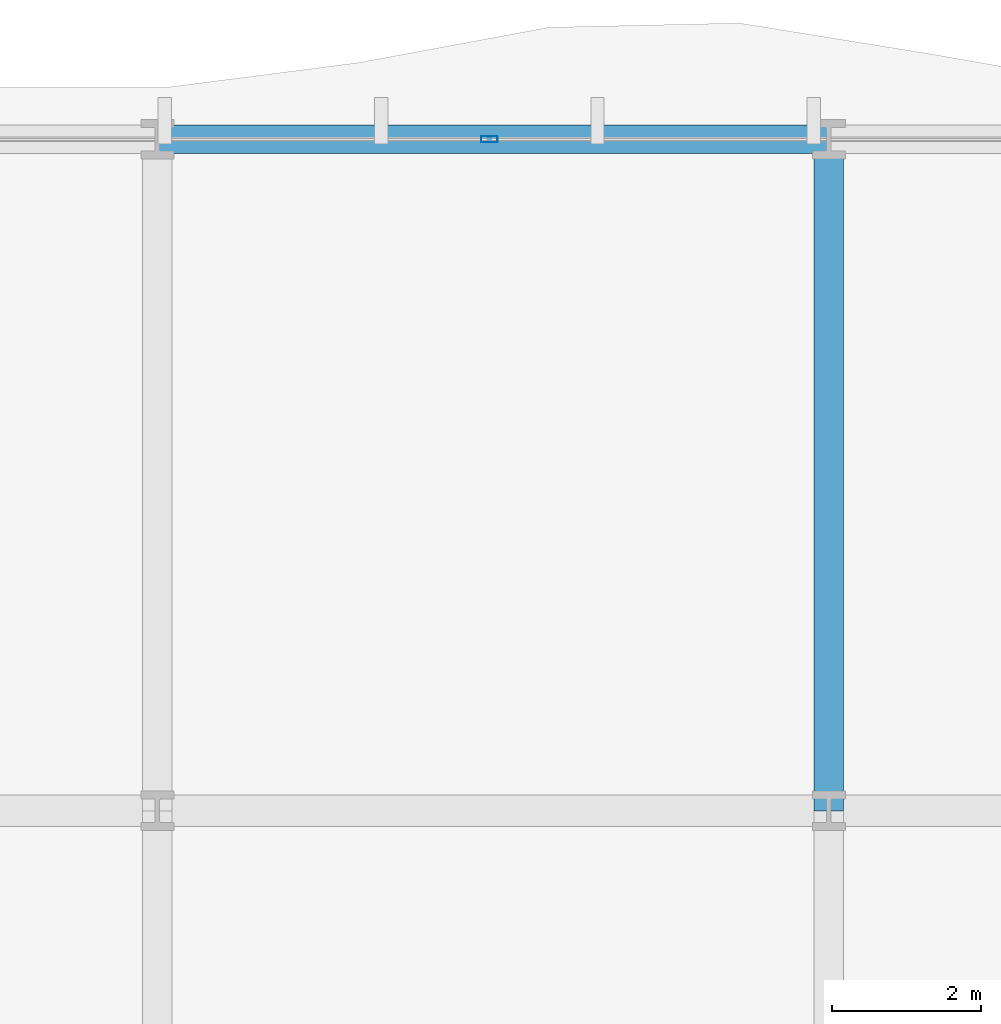
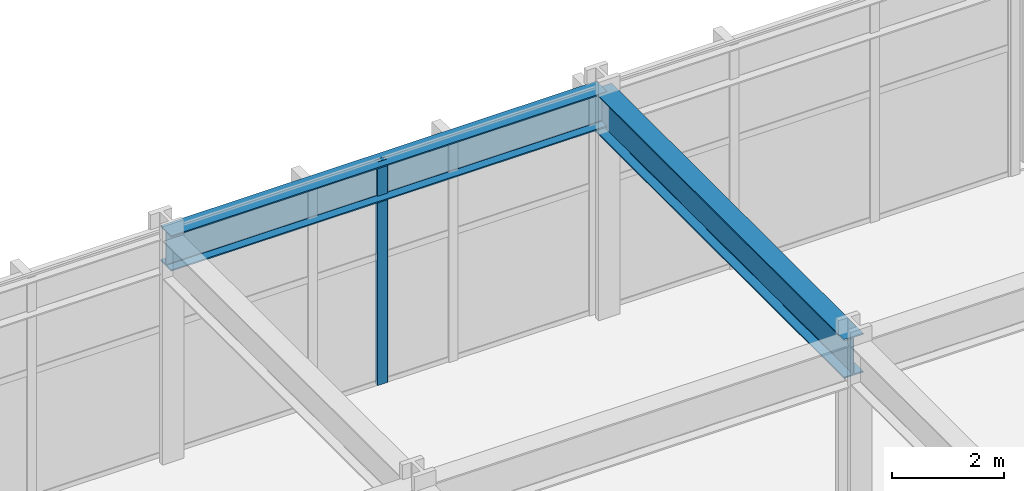
# One storey, part 15 of 33: 2 beams, 1 member, 1 element without a shape of its own.
"""IFC4 building model written with IfcOpenShell, lengths in metres."""

import ifcopenshell
import ifcopenshell.guid

model = None  # the IFC model being written
_history = None  # IfcOwnerHistory: only IFC2X3 demands one
_inside = {}  # id of a spatial element -> (the spatial element, [elements in it])
_under = {}  # id of a project, library or spatial element -> (it, [spatial elements below it])
_declared = {}  # id of a project -> (the project, [libraries it declares])
_typed = {}  # id of a type object -> (the type object, [elements of that type])
_made_of = {}  # id of a material, layer set ... -> (it, [elements and type objects made of it])


def new_model(schema):
    """Start an empty IFC model of exactly this schema.

    Asked for "IFC4X3", IfcOpenShell would pick the latest addendum, in which some entities
    have other attributes; the version numbers below select the first issue.
    IFC2X3 requires an IfcOwnerHistory on every rooted entity: one is made here for all.
    """
    global model, _history
    if schema == "IFC4X3":
        model = ifcopenshell.file(schema_version=(4, 3, 0, 0))
    else:
        model = ifcopenshell.file(schema=schema)
    _inside.clear()
    _under.clear()
    _declared.clear()
    _typed.clear()
    _made_of.clear()
    _history = None
    if model.schema == "IFC2X3":
        org = make("IfcOrganization", Name="unknown")
        user = make(
            "IfcPersonAndOrganization",
            ThePerson=make("IfcPerson", FamilyName="unknown"),
            TheOrganization=org,
        )
        app = make(
            "IfcApplication",
            ApplicationDeveloper=org,
            Version="unknown",
            ApplicationFullName="unknown",
            ApplicationIdentifier="unknown",
        )
        _history = make(
            "IfcOwnerHistory",
            OwningUser=user,
            OwningApplication=app,
            ChangeAction="ADDED",
            CreationDate=0,
        )
    return model


def make(cls, **values):
    """One entity of the class cls with the attributes given. An attribute that is None is left unset."""
    return model.create_entity(
        cls, **{name: value for name, value in values.items() if value is not None}
    )


def rooted(cls, **values):
    """An entity with a GlobalId (a new one), such as an element, a storey or a relation."""
    return make(cls, GlobalId=ifcopenshell.guid.new(), OwnerHistory=_history, **values)


def si_unit(unit_type, name, prefix=None):
    """IfcSIUnit, for example si_unit("LENGTHUNIT", "METRE", prefix="MILLI")."""
    return make("IfcSIUnit", UnitType=unit_type, Prefix=prefix, Name=name)


def assignment(units):
    """IfcUnitAssignment: the units of a project."""
    return None if units is None else make("IfcUnitAssignment", Units=units)


def point(xyz):
    """IfcCartesianPoint."""
    return None if xyz is None else make("IfcCartesianPoint", Coordinates=xyz)


def direction(xyz):
    """IfcDirection."""
    return None if xyz is None else make("IfcDirection", DirectionRatios=xyz)


def frame(location, z_axis=None, x_axis=None):
    """IfcAxis2Placement3D, a coordinate frame: its origin and axes. An axis left out is left unset."""
    return make(
        "IfcAxis2Placement3D",
        Location=point(location),
        Axis=direction(z_axis),
        RefDirection=direction(x_axis),
    )


def frame_2d(location, x_axis=None):
    """IfcAxis2Placement2D, a coordinate frame in the plane: its origin and x axis."""
    return make(
        "IfcAxis2Placement2D", Location=point(location), RefDirection=direction(x_axis)
    )


def origin():
    """The frame at (0, 0, 0) with its axes left unset."""
    return frame((0.0, 0.0, 0.0))


def origin_2d():
    """The frame at (0, 0) in the plane with its x axis left unset."""
    return frame_2d((0.0, 0.0))


def place(relative_to, where):
    """IfcLocalPlacement: puts the frame where relative to a parent placement (None: the world)."""
    return make(
        "IfcLocalPlacement", PlacementRelTo=relative_to, RelativePlacement=where
    )


def context(
    kind, dimensions, precision=None, world=None, true_north=None, identifier=None
):
    """IfcGeometricRepresentationContext, for example the 3D "Model" context."""
    return make(
        "IfcGeometricRepresentationContext",
        ContextIdentifier=identifier,
        ContextType=kind,
        CoordinateSpaceDimension=dimensions,
        Precision=precision,
        WorldCoordinateSystem=world,
        TrueNorth=true_north,
    )


def subcontext(parent, identifier, kind, view, scale=None):
    """IfcGeometricRepresentationSubContext, for example "Body" below "Model"."""
    return make(
        "IfcGeometricRepresentationSubContext",
        ContextIdentifier=identifier,
        ContextType=kind,
        ParentContext=parent,
        TargetScale=scale,
        TargetView=view,
    )


def project(units=None, contexts=None):
    """IfcProject with its units and contexts."""
    return rooted(
        "IfcProject",
        Name="project",
        RepresentationContexts=contexts,
        UnitsInContext=assignment(units),
    )


def spatial(cls, under=None, at=None, **own):
    """A site, building, storey or space (cls), placed at a placement, below another one or the project."""
    s = rooted(cls, ObjectPlacement=at, **own)
    if under is not None:
        _under.setdefault(under.id(), (under, []))[1].append(s)
    return s


def profile(cls, at=None, kind="AREA", **sizes):
    """A parametric profile (cls). Its sizes go by their IFC names, for example OverallWidth=200.0."""
    return make(cls, ProfileType=kind, Position=at, **sizes)


def hollow_rectangle(**sizes):
    """IfcRectangleHollowProfileDef."""
    return profile("IfcRectangleHollowProfileDef", **sizes)


def i_section(**sizes):
    """IfcIShapeProfileDef."""
    return profile("IfcIShapeProfileDef", **sizes)


def extrude(swept, where, along, depth):
    """IfcExtrudedAreaSolid: the profile swept, set in the frame where, extruded along a direction by depth."""
    return make(
        "IfcExtrudedAreaSolid",
        SweptArea=swept,
        Position=where,
        ExtrudedDirection=direction(along),
        Depth=depth,
    )


def shape(context_of_items, identifier, shape_type, items):
    """IfcShapeRepresentation: the items that make up one representation, for example the "Body"."""
    return make(
        "IfcShapeRepresentation",
        ContextOfItems=context_of_items,
        RepresentationIdentifier=identifier,
        RepresentationType=shape_type,
        Items=items,
    )


def material(Name=None, Category=None):
    """IfcMaterial."""
    return make("IfcMaterial", Name=Name, Category=Category)


def layer(
    of_material, thickness, ventilated=None, Name=None, Category=None, Priority=None
):
    """IfcMaterialLayer: one layer of a wall or slab, of a material (None: an air gap)."""
    return make(
        "IfcMaterialLayer",
        Material=of_material,
        LayerThickness=thickness,
        IsVentilated=ventilated,
        Name=Name,
        Category=Category,
        Priority=Priority,
    )


def layer_set(layers, Name=None):
    """IfcMaterialLayerSet."""
    return make("IfcMaterialLayerSet", MaterialLayers=layers, LayerSetName=Name)


def material_profile(
    of_material, cross_section, Name=None, Category=None, Priority=None
):
    """IfcMaterialProfile: a cross section and its material."""
    return make(
        "IfcMaterialProfile",
        Name=Name,
        Material=of_material,
        Profile=cross_section,
        Priority=Priority,
        Category=Category,
    )


def profile_set(profiles, Name=None, composite=None):
    """IfcMaterialProfileSet."""
    return make(
        "IfcMaterialProfileSet",
        Name=Name,
        MaterialProfiles=profiles,
        CompositeProfile=composite,
    )


def made_of(thing, what):
    """Note that an element or type object is made of a material, layer set ...; save() writes the relation."""
    if what is not None:
        _made_of.setdefault(what.id(), (what, []))[1].append(thing)
    return thing


def type_object(cls, material=None, **own):
    """A type object (cls), such as IfcWallType, which elements share."""
    return made_of(rooted(cls, **own), material)


def element(
    cls,
    number,
    at=None,
    inside=None,
    cuts=None,
    type_object=None,
    material=None,
    context=None,
    identifier="Body",
    shape_type=None,
    held_by="IfcProductDefinitionShape",
    body=None,
    shapes=None,
    **own,
):
    """One element of the class cls, such as IfcWall. Its Tag is "e" and its number.

    at: its placement. inside: the storey or other place that contains it. cuts: it is an
    opening in that element (IfcRelVoidsElement). A single representation is given by context,
    identifier, shape_type and body (its items); several are given by shapes. held_by: the class
    of the entity that holds the representations. save() writes the other relations.
    """
    e = rooted(cls, Tag="e%d" % number, ObjectPlacement=at, **own)
    if body is not None:
        shapes = [shape(context, identifier, shape_type, body)]
    if shapes is not None:
        e.Representation = make(held_by, Representations=shapes)
    if inside is not None:
        _inside.setdefault(inside.id(), (inside, []))[1].append(e)
    if cuts is not None:
        rooted(
            "IfcRelVoidsElement", RelatingBuildingElement=cuts, RelatedOpeningElement=e
        )
    if type_object is not None:
        _typed.setdefault(type_object.id(), (type_object, []))[1].append(e)
    return made_of(e, material)


def aggregate(whole, parts):
    """IfcRelAggregates: a whole, such as a stair, and the parts it consists of."""
    return rooted("IfcRelAggregates", RelatingObject=whole, RelatedObjects=parts)


def save(model, path):
    """Write the relations noted so far, then the file.

    IfcRelAggregates (storeys below a building ...), IfcRelContainedInSpatialStructure (elements
    in a storey), IfcRelDefinesByType, IfcRelAssociatesMaterial and IfcRelDeclares: one each for
    every whole, place, type object, material and project.
    """
    for whole, parts in _under.values():
        aggregate(whole, parts)
    for where, things in _inside.values():
        rooted(
            "IfcRelContainedInSpatialStructure",
            RelatedElements=things,
            RelatingStructure=where,
        )
    for kind, things in _typed.values():
        rooted("IfcRelDefinesByType", RelatedObjects=things, RelatingType=kind)
    for what, things in _made_of.values():
        rooted("IfcRelAssociatesMaterial", RelatedObjects=things, RelatingMaterial=what)
    for by, libraries in _declared.values():
        rooted("IfcRelDeclares", RelatingContext=by, RelatedDefinitions=libraries)
    model.write(path)


model = new_model("IFC4")

# Units and contexts
model_context = context("Model", 3, precision=1e-05, world=origin(), true_north=direction((0.0, 1.0)))
body_context = subcontext(model_context, "Body", "Model", "MODEL_VIEW")
ifc_project = project(units=[si_unit("LENGTHUNIT", "METRE"), si_unit("AREAUNIT", "SQUARE_METRE"), si_unit("VOLUMEUNIT", "CUBIC_METRE"), si_unit("PLANEANGLEUNIT", "RADIAN"), si_unit("MASSUNIT", "GRAM", prefix="KILO")], contexts=[model_context])

# Site, building, storey
site_placement = place(None, origin())
site = spatial("IfcSite", under=ifc_project, at=site_placement, CompositionType="ELEMENT")
building_placement = place(site_placement, origin())
building = spatial("IfcBuilding", under=site, at=building_placement, Name="Solvaryn Broadcast Tower", CompositionType="ELEMENT")
storey_placement = place(building_placement, frame((0.0, 0.0, 5.800048828125)))
storey = spatial("IfcBuildingStorey", under=building, at=storey_placement, Name="L01", CompositionType="ELEMENT", Elevation=5.800048828125)

# Beams
ifc_material_1 = material(Name="Steel ASTM A992 Grade 50", Category="steel")
ifc_material_profile_1 = material_profile(ifc_material_1, i_section(OverallWidth=0.39990234375, OverallDepth=0.85498046875, WebThickness=0.018310546875, FlangeThickness=0.029296875, FilletRadius=0.02001953125, at=origin_2d()))
ifc_profile_set_1 = profile_set([ifc_material_profile_1], Name="Steel ASTM A992 Grade 50")
beam_type_1 = type_object("IfcBeamType", Name="BM-G3-W33X201", PredefinedType="BEAM", material=ifc_profile_set_1)
beam_1_placement = place(storey_placement, frame((54.0, 45.0, 4.452392578125), z_axis=(0.0, 1.0, 0.0), x_axis=(-1.0, 0.0, 0.0)))
element("IfcBeam", 1, at=beam_1_placement, inside=storey, type_object=beam_type_1, Name="L01 Primary Beam Y (45-54 @ X=54)", PredefinedType="BEAM", context=body_context, shape_type="SweptSolid", body=[
    extrude(i_section(OverallWidth=0.39990234375, OverallDepth=0.85498046875, WebThickness=0.018310546875, FlangeThickness=0.029296875, FilletRadius=0.02001953125, at=origin_2d()), origin(), (0.0, 0.0, 1.0), 9.0),
])
ifc_material_2 = material(Name="Steel ASTM A992 Grade 50", Category="steel")
ifc_material_profile_2 = material_profile(ifc_material_2, i_section(OverallWidth=0.381103515625, OverallDepth=0.77294921875, WebThickness=0.0166015625, FlangeThickness=0.027099609375, FilletRadius=0.01806640625, at=origin_2d()))
ifc_profile_set_2 = profile_set([ifc_material_profile_2], Name="Steel ASTM A992 Grade 50")
beam_type_2 = type_object("IfcBeamType", Name="BM-SP1-W30X173", PredefinedType="USERDEFINED", material=ifc_profile_set_2)
beam_2_placement = place(storey_placement, frame((45.0, 54.0, 4.493408203125), z_axis=(1.0, 0.0, 0.0), x_axis=(0.0, 1.0, 0.0)))
element("IfcBeam", 2, at=beam_2_placement, inside=storey, type_object=beam_type_2, Name="L01 Spandrel Beam X (45-54 @ Y=54)", ObjectType="SPANDREL", PredefinedType="USERDEFINED", context=body_context, shape_type="SweptSolid", body=[
    extrude(i_section(OverallWidth=0.381103515625, OverallDepth=0.77294921875, WebThickness=0.0166015625, FlangeThickness=0.027099609375, FilletRadius=0.01806640625, at=origin_2d()), origin(), (0.0, 0.0, 1.0), 9.0),
])

# Curtain wall, member
ifc_material_3 = material(Name="Aluminium and Terracotta Unitised Curtain Wall", Category="masonry")
ifc_layer = layer(ifc_material_3, 0.219970703125)
ifc_layer_set = layer_set([ifc_layer], Name="CW-SYS1-PODIUM")
curtain_wall_type = type_object("IfcCurtainWallType", Name="CW-SYS1-PODIUM", PredefinedType="NOTDEFINED", material=ifc_layer_set)
curtain_wall_placement = place(storey_placement, origin())
curtain_wall = element("IfcCurtainWall", 3, at=curtain_wall_placement, inside=storey, type_object=curtain_wall_type, Name="L01 Podium Curtain Wall N2", PredefinedType="NOTDEFINED")
ifc_material_4 = material(Name="Anodised Aluminium 6063-T6", Category="aluminium")
ifc_material_profile_3 = material_profile(ifc_material_4, hollow_rectangle(XDim=0.0849609375, YDim=0.219970703125, WallThickness=0.0048828125, InnerFilletRadius=0.0048828125, OuterFilletRadius=0.010009765625, at=origin_2d()))
ifc_profile_set_3 = profile_set([ifc_material_profile_3], Name="Anodised Aluminium 6063-T6")
member_type = type_object("IfcMemberType", Name="CW-MUL-220", PredefinedType="MULLION", material=ifc_profile_set_3)
member_placement = place(storey_placement, frame((49.449951171875, 54.0, 0.0), z_axis=(0.0, 0.0, 1.0), x_axis=(0.0, 1.0, 0.0)))
member = element("IfcMember", 4, at=member_placement, type_object=member_type, Name="CWS1 mullion 2", PredefinedType="MULLION", context=body_context, shape_type="SweptSolid", body=[
    extrude(hollow_rectangle(XDim=0.0849609375, YDim=0.219970703125, WallThickness=0.0048828125, InnerFilletRadius=0.0048828125, OuterFilletRadius=0.010009765625, at=origin_2d()), origin(), (0.0, 0.0, 1.0), 4.8798828125),
])
aggregate(curtain_wall, [member])

save(model, "model.ifc")
